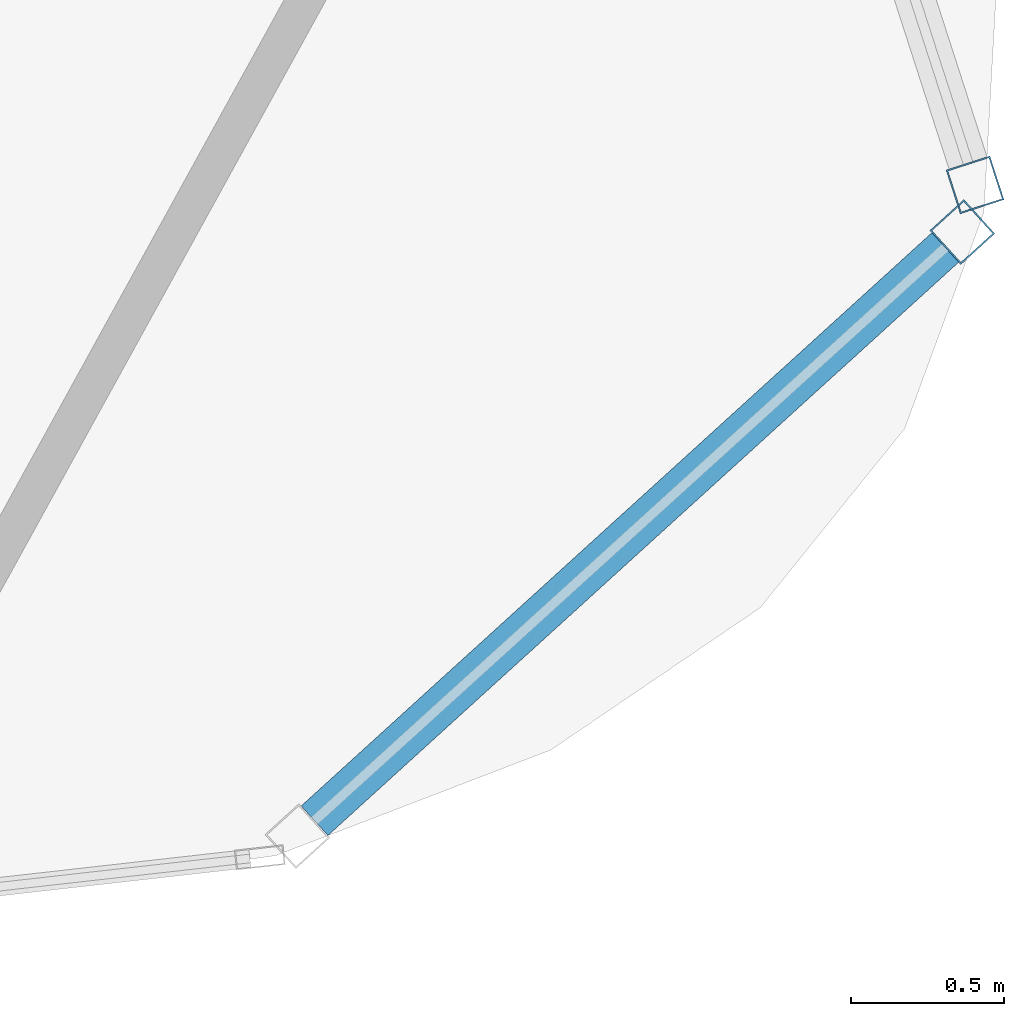
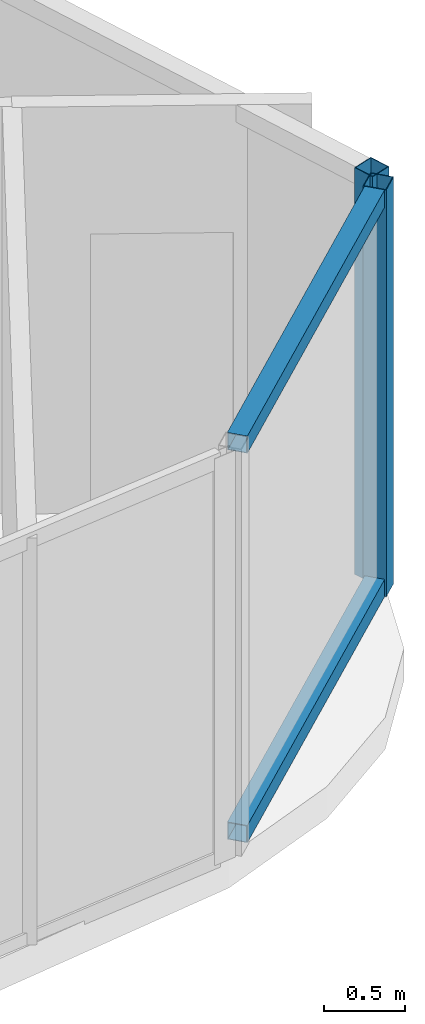
# One storey, part 16 of 33: 4 members, 2 elements without a shape of their own.
"""IFC4 building model written with IfcOpenShell, lengths in metres."""

import ifcopenshell
import ifcopenshell.guid

model = None  # the IFC model being written
_history = None  # IfcOwnerHistory: only IFC2X3 demands one
_inside = {}  # id of a spatial element -> (the spatial element, [elements in it])
_under = {}  # id of a project, library or spatial element -> (it, [spatial elements below it])
_declared = {}  # id of a project -> (the project, [libraries it declares])
_typed = {}  # id of a type object -> (the type object, [elements of that type])
_made_of = {}  # id of a material, layer set ... -> (it, [elements and type objects made of it])


def new_model(schema):
    """Start an empty IFC model of exactly this schema.

    Asked for "IFC4X3", IfcOpenShell would pick the latest addendum, in which some entities
    have other attributes; the version numbers below select the first issue.
    IFC2X3 requires an IfcOwnerHistory on every rooted entity: one is made here for all.
    """
    global model, _history
    if schema == "IFC4X3":
        model = ifcopenshell.file(schema_version=(4, 3, 0, 0))
    else:
        model = ifcopenshell.file(schema=schema)
    _inside.clear()
    _under.clear()
    _declared.clear()
    _typed.clear()
    _made_of.clear()
    _history = None
    if model.schema == "IFC2X3":
        org = make("IfcOrganization", Name="unknown")
        user = make(
            "IfcPersonAndOrganization",
            ThePerson=make("IfcPerson", FamilyName="unknown"),
            TheOrganization=org,
        )
        app = make(
            "IfcApplication",
            ApplicationDeveloper=org,
            Version="unknown",
            ApplicationFullName="unknown",
            ApplicationIdentifier="unknown",
        )
        _history = make(
            "IfcOwnerHistory",
            OwningUser=user,
            OwningApplication=app,
            ChangeAction="ADDED",
            CreationDate=0,
        )
    return model


def make(cls, **values):
    """One entity of the class cls with the attributes given. An attribute that is None is left unset."""
    return model.create_entity(
        cls, **{name: value for name, value in values.items() if value is not None}
    )


def rooted(cls, **values):
    """An entity with a GlobalId (a new one), such as an element, a storey or a relation."""
    return make(cls, GlobalId=ifcopenshell.guid.new(), OwnerHistory=_history, **values)


def si_unit(unit_type, name, prefix=None):
    """IfcSIUnit, for example si_unit("LENGTHUNIT", "METRE", prefix="MILLI")."""
    return make("IfcSIUnit", UnitType=unit_type, Prefix=prefix, Name=name)


def assignment(units):
    """IfcUnitAssignment: the units of a project."""
    return None if units is None else make("IfcUnitAssignment", Units=units)


def point(xyz):
    """IfcCartesianPoint."""
    return None if xyz is None else make("IfcCartesianPoint", Coordinates=xyz)


def direction(xyz):
    """IfcDirection."""
    return None if xyz is None else make("IfcDirection", DirectionRatios=xyz)


def frame(location, z_axis=None, x_axis=None):
    """IfcAxis2Placement3D, a coordinate frame: its origin and axes. An axis left out is left unset."""
    return make(
        "IfcAxis2Placement3D",
        Location=point(location),
        Axis=direction(z_axis),
        RefDirection=direction(x_axis),
    )


def frame_2d(location, x_axis=None):
    """IfcAxis2Placement2D, a coordinate frame in the plane: its origin and x axis."""
    return make(
        "IfcAxis2Placement2D", Location=point(location), RefDirection=direction(x_axis)
    )


def origin():
    """The frame at (0, 0, 0) with its axes left unset."""
    return frame((0.0, 0.0, 0.0))


def origin_2d():
    """The frame at (0, 0) in the plane with its x axis left unset."""
    return frame_2d((0.0, 0.0))


def place(relative_to, where):
    """IfcLocalPlacement: puts the frame where relative to a parent placement (None: the world)."""
    return make(
        "IfcLocalPlacement", PlacementRelTo=relative_to, RelativePlacement=where
    )


def context(
    kind, dimensions, precision=None, world=None, true_north=None, identifier=None
):
    """IfcGeometricRepresentationContext, for example the 3D "Model" context."""
    return make(
        "IfcGeometricRepresentationContext",
        ContextIdentifier=identifier,
        ContextType=kind,
        CoordinateSpaceDimension=dimensions,
        Precision=precision,
        WorldCoordinateSystem=world,
        TrueNorth=true_north,
    )


def subcontext(parent, identifier, kind, view, scale=None):
    """IfcGeometricRepresentationSubContext, for example "Body" below "Model"."""
    return make(
        "IfcGeometricRepresentationSubContext",
        ContextIdentifier=identifier,
        ContextType=kind,
        ParentContext=parent,
        TargetScale=scale,
        TargetView=view,
    )


def project(units=None, contexts=None):
    """IfcProject with its units and contexts."""
    return rooted(
        "IfcProject",
        Name="project",
        RepresentationContexts=contexts,
        UnitsInContext=assignment(units),
    )


def spatial(cls, under=None, at=None, **own):
    """A site, building, storey or space (cls), placed at a placement, below another one or the project."""
    s = rooted(cls, ObjectPlacement=at, **own)
    if under is not None:
        _under.setdefault(under.id(), (under, []))[1].append(s)
    return s


def profile(cls, at=None, kind="AREA", **sizes):
    """A parametric profile (cls). Its sizes go by their IFC names, for example OverallWidth=200.0."""
    return make(cls, ProfileType=kind, Position=at, **sizes)


def hollow_rectangle(**sizes):
    """IfcRectangleHollowProfileDef."""
    return profile("IfcRectangleHollowProfileDef", **sizes)


def extrude(swept, where, along, depth):
    """IfcExtrudedAreaSolid: the profile swept, set in the frame where, extruded along a direction by depth."""
    return make(
        "IfcExtrudedAreaSolid",
        SweptArea=swept,
        Position=where,
        ExtrudedDirection=direction(along),
        Depth=depth,
    )


def shape(context_of_items, identifier, shape_type, items):
    """IfcShapeRepresentation: the items that make up one representation, for example the "Body"."""
    return make(
        "IfcShapeRepresentation",
        ContextOfItems=context_of_items,
        RepresentationIdentifier=identifier,
        RepresentationType=shape_type,
        Items=items,
    )


def material(Name=None, Category=None):
    """IfcMaterial."""
    return make("IfcMaterial", Name=Name, Category=Category)


def layer(
    of_material, thickness, ventilated=None, Name=None, Category=None, Priority=None
):
    """IfcMaterialLayer: one layer of a wall or slab, of a material (None: an air gap)."""
    return make(
        "IfcMaterialLayer",
        Material=of_material,
        LayerThickness=thickness,
        IsVentilated=ventilated,
        Name=Name,
        Category=Category,
        Priority=Priority,
    )


def layer_set(layers, Name=None):
    """IfcMaterialLayerSet."""
    return make("IfcMaterialLayerSet", MaterialLayers=layers, LayerSetName=Name)


def material_profile(
    of_material, cross_section, Name=None, Category=None, Priority=None
):
    """IfcMaterialProfile: a cross section and its material."""
    return make(
        "IfcMaterialProfile",
        Name=Name,
        Material=of_material,
        Profile=cross_section,
        Priority=Priority,
        Category=Category,
    )


def profile_set(profiles, Name=None, composite=None):
    """IfcMaterialProfileSet."""
    return make(
        "IfcMaterialProfileSet",
        Name=Name,
        MaterialProfiles=profiles,
        CompositeProfile=composite,
    )


def made_of(thing, what):
    """Note that an element or type object is made of a material, layer set ...; save() writes the relation."""
    if what is not None:
        _made_of.setdefault(what.id(), (what, []))[1].append(thing)
    return thing


def type_object(cls, material=None, **own):
    """A type object (cls), such as IfcWallType, which elements share."""
    return made_of(rooted(cls, **own), material)


def element(
    cls,
    number,
    at=None,
    inside=None,
    cuts=None,
    type_object=None,
    material=None,
    context=None,
    identifier="Body",
    shape_type=None,
    held_by="IfcProductDefinitionShape",
    body=None,
    shapes=None,
    **own,
):
    """One element of the class cls, such as IfcWall. Its Tag is "e" and its number.

    at: its placement. inside: the storey or other place that contains it. cuts: it is an
    opening in that element (IfcRelVoidsElement). A single representation is given by context,
    identifier, shape_type and body (its items); several are given by shapes. held_by: the class
    of the entity that holds the representations. save() writes the other relations.
    """
    e = rooted(cls, Tag="e%d" % number, ObjectPlacement=at, **own)
    if body is not None:
        shapes = [shape(context, identifier, shape_type, body)]
    if shapes is not None:
        e.Representation = make(held_by, Representations=shapes)
    if inside is not None:
        _inside.setdefault(inside.id(), (inside, []))[1].append(e)
    if cuts is not None:
        rooted(
            "IfcRelVoidsElement", RelatingBuildingElement=cuts, RelatedOpeningElement=e
        )
    if type_object is not None:
        _typed.setdefault(type_object.id(), (type_object, []))[1].append(e)
    return made_of(e, material)


def aggregate(whole, parts):
    """IfcRelAggregates: a whole, such as a stair, and the parts it consists of."""
    return rooted("IfcRelAggregates", RelatingObject=whole, RelatedObjects=parts)


def save(model, path):
    """Write the relations noted so far, then the file.

    IfcRelAggregates (storeys below a building ...), IfcRelContainedInSpatialStructure (elements
    in a storey), IfcRelDefinesByType, IfcRelAssociatesMaterial and IfcRelDeclares: one each for
    every whole, place, type object, material and project.
    """
    for whole, parts in _under.values():
        aggregate(whole, parts)
    for where, things in _inside.values():
        rooted(
            "IfcRelContainedInSpatialStructure",
            RelatedElements=things,
            RelatingStructure=where,
        )
    for kind, things in _typed.values():
        rooted("IfcRelDefinesByType", RelatedObjects=things, RelatingType=kind)
    for what, things in _made_of.values():
        rooted("IfcRelAssociatesMaterial", RelatedObjects=things, RelatingMaterial=what)
    for by, libraries in _declared.values():
        rooted("IfcRelDeclares", RelatingContext=by, RelatedDefinitions=libraries)
    model.write(path)


model = new_model("IFC4")

# Units and contexts
model_context = context("Model", 3, precision=1e-05, world=origin(), true_north=direction((0.0, 1.0)))
body_context = subcontext(model_context, "Body", "Model", "MODEL_VIEW")
ifc_project = project(units=[si_unit("LENGTHUNIT", "METRE"), si_unit("AREAUNIT", "SQUARE_METRE"), si_unit("VOLUMEUNIT", "CUBIC_METRE"), si_unit("PLANEANGLEUNIT", "RADIAN"), si_unit("MASSUNIT", "GRAM", prefix="KILO")], contexts=[model_context])

# Site, building, storey
site_placement = place(None, origin())
site = spatial("IfcSite", under=ifc_project, at=site_placement, CompositionType="ELEMENT")
building_placement = place(site_placement, origin())
building = spatial("IfcBuilding", under=site, at=building_placement, Name="Orvanel Arch Residences", CompositionType="ELEMENT")
storey_placement = place(building_placement, frame((0.0, 0.0, 206.300048828125)))
storey = spatial("IfcBuildingStorey", under=building, at=storey_placement, Name="L58", CompositionType="ELEMENT", Elevation=206.300048828125)

# Curtain wall, member
ifc_material = material(Name="Bronze-anodised aluminium AA6063-T6", Category="aluminium")
ifc_layer = layer(ifc_material, 0.18994140625)
ifc_layer_set = layer_set([ifc_layer], Name="Bronze-anodised aluminium AA6063-T6")
curtain_wall_type = type_object("IfcCurtainWallType", Name="CW5-CRN-SYS", PredefinedType="NOTDEFINED", material=ifc_layer_set)
curtain_wall_1_placement = place(storey_placement, origin())
curtain_wall_1 = element("IfcCurtainWall", 1, at=curtain_wall_1_placement, inside=storey, type_object=curtain_wall_type, Name="L58 CW5-CRN-SYS Unitised Curtain Wall", PredefinedType="NOTDEFINED")
ifc_material_profile_1 = material_profile(ifc_material, hollow_rectangle(XDim=0.14990234375, YDim=0.14990234375, WallThickness=0.0048828125, at=origin_2d()), Name="ALU150x150x5")
ifc_profile_set_1 = profile_set([ifc_material_profile_1], Name="Bronze-anodised aluminium AA6063-T6")
member_type_1 = type_object("IfcMemberType", Name="MUL-150x150", PredefinedType="MULLION", material=ifc_profile_set_1)
member_1_placement = place(storey_placement, frame((56.305419921875, 8.5205078125, 0.0), z_axis=(0.0, 0.0, 1.0), x_axis=(-0.672511070676, 0.740087062323, 0.0)))
member_1 = element("IfcMember", 2, at=member_1_placement, type_object=member_type_1, Name="CW-S5 mullion 2", PredefinedType="MULLION", context=body_context, shape_type="SweptSolid", body=[
    extrude(hollow_rectangle(XDim=0.14990234375, YDim=0.14990234375, WallThickness=0.0048828125, at=origin_2d()), origin(), (0.0, 0.0, 1.0), 3.06005859375),
])

curtain_wall_2_placement = place(storey_placement, origin())
curtain_wall_2 = element("IfcCurtainWall", 3, at=curtain_wall_2_placement, inside=storey, type_object=curtain_wall_type, Name="L58 CW5-CRN-SYS Unitised Curtain Wall", PredefinedType="NOTDEFINED")
member_2_placement = place(storey_placement, frame((56.346923828125, 8.67431640625, 0.0), z_axis=(0.0, 0.0, 1.0), x_axis=(-0.951553342182, -0.307483718239, 0.0)))
member_2 = element("IfcMember", 4, at=member_2_placement, type_object=member_type_1, Name="CW-S5 mullion 1", PredefinedType="MULLION", context=body_context, shape_type="SweptSolid", body=[
    extrude(hollow_rectangle(XDim=0.14990234375, YDim=0.14990234375, WallThickness=0.0048828125, at=origin_2d()), origin(), (0.0, 0.0, 1.0), 3.06005859375),
])
aggregate(curtain_wall_2, [member_2])

# Member
ifc_material_profile_2 = material_profile(ifc_material, hollow_rectangle(XDim=0.1298828125, YDim=0.1298828125, WallThickness=0.00439453125, at=origin_2d()), Name="ALU130x130x4.5")
ifc_profile_set_2 = profile_set([ifc_material_profile_2], Name="Bronze-anodised aluminium AA6063-T6")
member_type_2 = type_object("IfcMemberType", Name="TRN-130x130", PredefinedType="USERDEFINED", material=ifc_profile_set_2)
member_3_placement = place(storey_placement, frame((54.194091796875, 6.601806640625, 0.06494140625), z_axis=(0.74004743012, 0.672554682663, 0.0), x_axis=(-0.672554682663, 0.74004743012, 0.0)))
member_3 = element("IfcMember", 5, at=member_3_placement, type_object=member_type_2, Name="CW-S5 transom 1.1", ObjectType="TRANSOM", PredefinedType="USERDEFINED", context=body_context, shape_type="SweptSolid", body=[
    extrude(hollow_rectangle(XDim=0.1298828125, YDim=0.1298828125, WallThickness=0.00439453125, at=origin_2d()), origin(), (0.0, 0.0, 1.0), 2.778076171875),
])

member_4_placement = place(storey_placement, frame((54.194091796875, 6.601806640625, 2.994873046875), z_axis=(0.74004743012, 0.672554682663, 0.0), x_axis=(-0.672554682663, 0.74004743012, 0.0)))
member_4 = element("IfcMember", 6, at=member_4_placement, type_object=member_type_2, Name="CW-S5 transom 1.2", ObjectType="TRANSOM", PredefinedType="USERDEFINED", context=body_context, shape_type="SweptSolid", body=[
    extrude(hollow_rectangle(XDim=0.1298828125, YDim=0.1298828125, WallThickness=0.00439453125, at=origin_2d()), origin(), (0.0, 0.0, 1.0), 2.778076171875),
])

aggregate(curtain_wall_1, [member_1, member_3, member_4])

save(model, "model.ifc")
